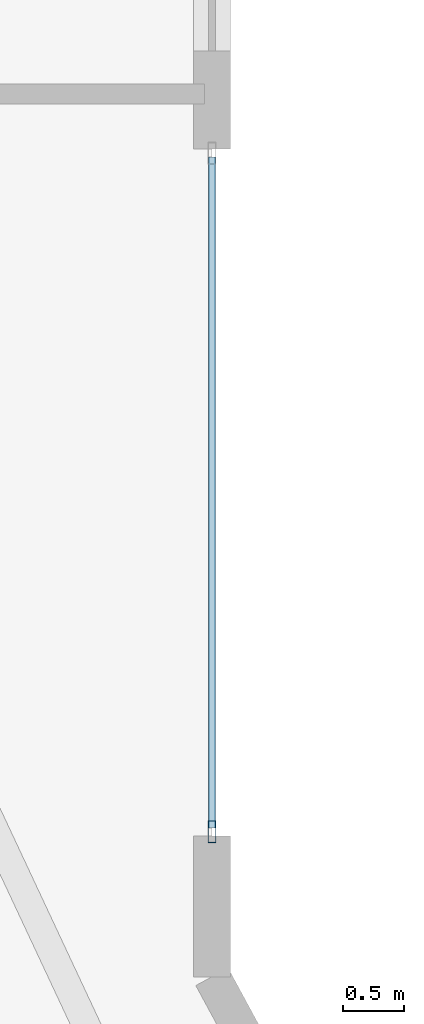
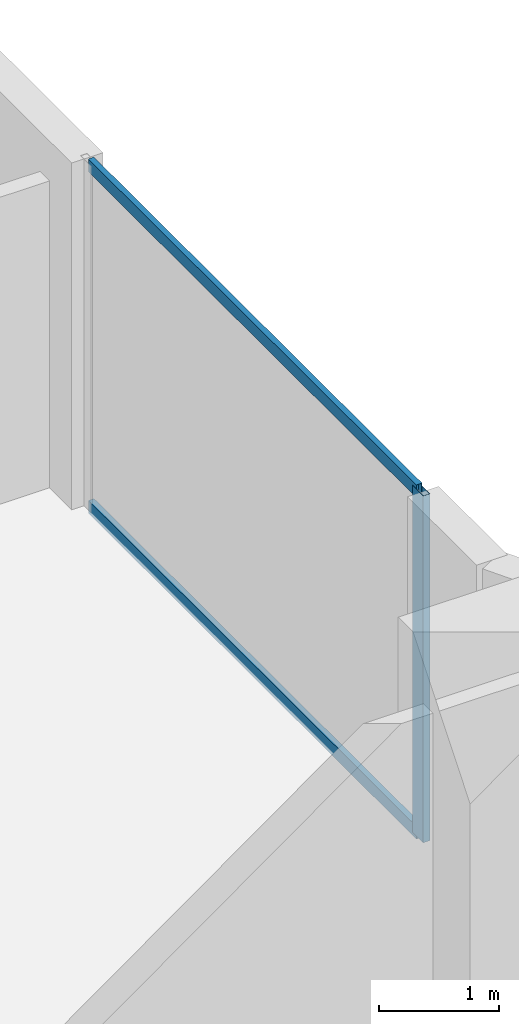
# One storey, part 15 of 33: 3 members, 1 element without a shape of its own.
"""IFC4 building model written with IfcOpenShell, lengths in metres."""

from ifc_helpers import new_model, si_unit, direction, frame, origin, origin_2d, place, context, subcontext, project, spatial, hollow_rectangle, extrude, material, layer, layer_set, material_profile, profile_set, type_object, element, aggregate, save


model = new_model("IFC4")

# Units and contexts
model_context = context("Model", 3, precision=1e-05, world=origin(), true_north=direction((0.0, 1.0)))
body_context = subcontext(model_context, "Body", "Model", "MODEL_VIEW")
ifc_project = project(units=[si_unit("LENGTHUNIT", "METRE"), si_unit("AREAUNIT", "SQUARE_METRE"), si_unit("VOLUMEUNIT", "CUBIC_METRE"), si_unit("PLANEANGLEUNIT", "RADIAN"), si_unit("MASSUNIT", "GRAM", prefix="KILO")], contexts=[model_context])

# Site, building, storey
site_placement = place(None, origin())
site = spatial("IfcSite", under=ifc_project, at=site_placement, CompositionType="ELEMENT")
building_placement = place(site_placement, origin())
building = spatial("IfcBuilding", under=site, at=building_placement, Name="Zuhayl Quay Hotel", CompositionType="ELEMENT")
storey_placement = place(building_placement, frame((0.0, 0.0, 211.14990234375)))
storey = spatial("IfcBuildingStorey", under=building, at=storey_placement, Name="L53", CompositionType="ELEMENT", Elevation=211.14990234375)

# Curtain wall, members
ifc_material_1 = material(Name="Anodised Aluminium 6063-T6", Category="aluminium")
ifc_layer = layer(ifc_material_1, 0.175048828125, Name="Anodised Aluminium 6063-T6", Category="aluminium")
ifc_layer_set = layer_set([ifc_layer], Name="Anodised Aluminium 6063-T6")
curtain_wall_type = type_object("IfcCurtainWallType", Name="CW_SYS_Z3", PredefinedType="USERDEFINED", material=ifc_layer_set)
curtain_wall_placement = place(storey_placement, origin())
curtain_wall = element("IfcCurtainWall", 1, at=curtain_wall_placement, inside=storey, type_object=curtain_wall_type, Name="L53 Curtain Wall ENV_L53_E11_CW1", ObjectType="UNITISED CURTAIN WALL", PredefinedType="USERDEFINED")
ifc_material_2 = material(Name="Black-anodised aluminium 6063-T6", Category="aluminium")
ifc_material_profile_1 = material_profile(ifc_material_2, hollow_rectangle(XDim=0.06494140625, YDim=0.179931640625, WallThickness=0.00341796875, at=origin_2d()), Name="ALU180X65")
ifc_profile_set_1 = profile_set([ifc_material_profile_1], Name="Black-anodised aluminium 6063-T6")
member_type_1 = type_object("IfcMemberType", Name="MB_CW_MUL_180", PredefinedType="MULLION", material=ifc_profile_set_1)
member_1_placement = place(storey_placement, frame((22.10009765625, 18.982421875, 0.0), z_axis=(0.0, 0.0, 1.0), x_axis=(1.0, 0.0, 0.0)))
member_1 = element("IfcMember", 2, at=member_1_placement, type_object=member_type_1, Name="CW-Z3 mullion 2", PredefinedType="MULLION", context=body_context, shape_type="SweptSolid", body=[
    extrude(hollow_rectangle(XDim=0.06494140625, YDim=0.179931640625, WallThickness=0.00341796875, at=origin_2d()), origin(), (0.0, 0.0, 1.0), 3.530029296875),
])
ifc_material_profile_2 = material_profile(ifc_material_2, hollow_rectangle(XDim=0.054931640625, YDim=0.1298828125, WallThickness=0.0029296875, at=origin_2d()), Name="ALU130X55")
ifc_profile_set_2 = profile_set([ifc_material_profile_2], Name="Black-anodised aluminium 6063-T6")
member_type_2 = type_object("IfcMemberType", Name="MB_CW_TRN_130", PredefinedType="USERDEFINED", material=ifc_profile_set_2)
member_2_placement = place(storey_placement, frame((22.10009765625, 24.485107421875, 0.027587890625), z_axis=(0.0, -1.0, 0.0), x_axis=(1.0, 0.0, 0.0)))
member_2 = element("IfcMember", 3, at=member_2_placement, type_object=member_type_2, Name="CW-Z3 transom 1.1", ObjectType="TRANSOM", PredefinedType="USERDEFINED", context=body_context, shape_type="SweptSolid", body=[
    extrude(hollow_rectangle(XDim=0.054931640625, YDim=0.1298828125, WallThickness=0.0029296875, at=origin_2d()), origin(), (0.0, 0.0, 1.0), 5.47021484375),
])
member_3_placement = place(storey_placement, frame((22.10009765625, 24.485107421875, 3.502685546875), z_axis=(0.0, -1.0, 0.0), x_axis=(1.0, 0.0, 0.0)))
member_3 = element("IfcMember", 4, at=member_3_placement, type_object=member_type_2, Name="CW-Z3 transom 1.2", ObjectType="TRANSOM", PredefinedType="USERDEFINED", context=body_context, shape_type="SweptSolid", body=[
    extrude(hollow_rectangle(XDim=0.054931640625, YDim=0.1298828125, WallThickness=0.0029296875, at=origin_2d()), origin(), (0.0, 0.0, 1.0), 5.47021484375),
])
aggregate(curtain_wall, [member_1, member_2, member_3])

save(model, "model.ifc")
